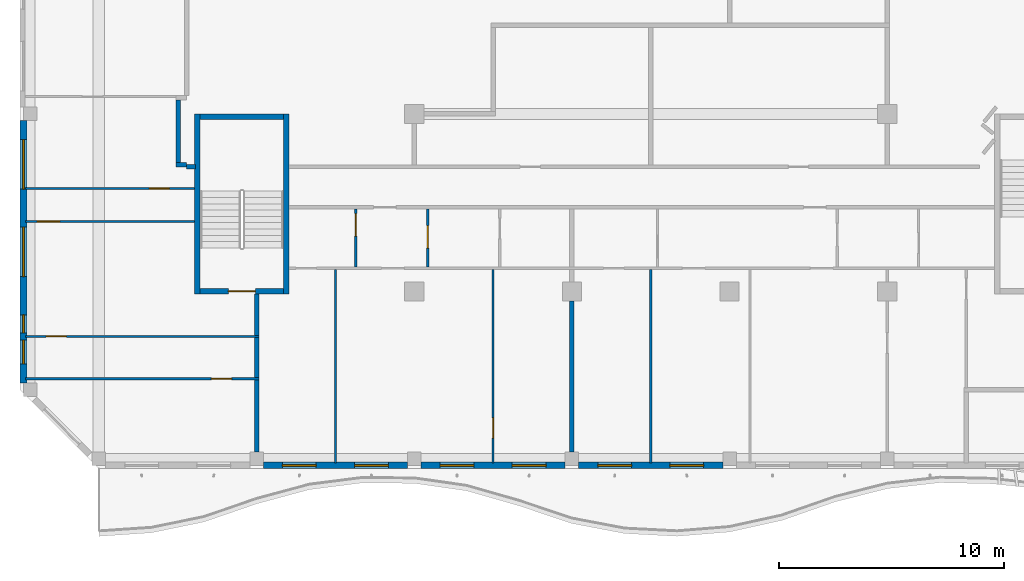
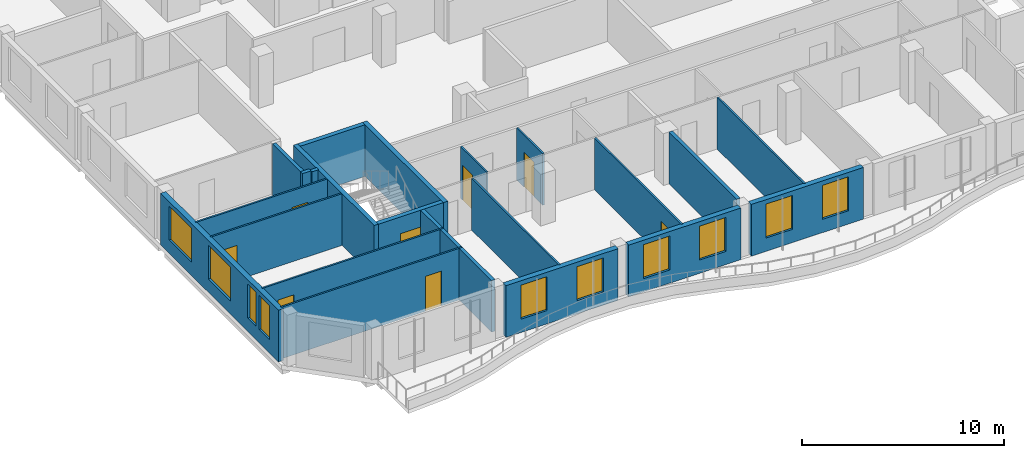
# One storey, part 2 of 17: 24 walls, 10 windows, 8 doors, 18 openings.
"""IFC4 building model written with IfcOpenShell, lengths in metres."""

from ifc_helpers import new_model, si_unit, direction, frame, frame_2d, origin, place, context, subcontext, project, spatial, rectangle, extrude, source, transform, mapped, material, layer, layer_set, type_object, element, fill, save


model = new_model("IFC4")

# Units and contexts
model_context = context("Model", 3, precision=1e-05, world=origin(), true_north=direction((0.0, 1.0)))
body_context = subcontext(model_context, "Body", "Model", "MODEL_VIEW")
ifc_project = project(units=[si_unit("LENGTHUNIT", "METRE"), si_unit("AREAUNIT", "SQUARE_METRE"), si_unit("VOLUMEUNIT", "CUBIC_METRE"), si_unit("PLANEANGLEUNIT", "RADIAN"), si_unit("MASSUNIT", "GRAM", prefix="KILO")], contexts=[model_context])

# Site, building, storey
site_placement = place(None, origin())
site = spatial("IfcSite", under=ifc_project, at=site_placement, CompositionType="ELEMENT")
building_placement = place(site_placement, origin())
building = spatial("IfcBuilding", under=site, at=building_placement, Name="Kilnfold Tower and Market Hall", CompositionType="ELEMENT")
storey_placement = place(building_placement, frame((0.0, 0.0, 301.800048828125)))
storey = spatial("IfcBuildingStorey", under=building, at=storey_placement, Name="L75", CompositionType="ELEMENT", Elevation=301.800048828125)

# Wall, opening, door
ifc_material_1 = material(Name="Gypsum board on steel studs", Category="steel")
ifc_layer_1 = layer(ifc_material_1, 0.10009765625)
ifc_layer_set_1 = layer_set([ifc_layer_1], Name="Gypsum board on steel studs")
wall_type_1 = type_object("IfcWallType", Name="WALL PARTITION 100", PredefinedType="PARTITIONING", material=ifc_layer_set_1)
wall_1_placement = place(storey_placement, frame((-14.89990234375, -19.5, 0.0), z_axis=(0.0, 0.0, 1.0), x_axis=(-1.0, 0.0, 0.0)))
wall_1 = element("IfcWall", 1, at=wall_1_placement, inside=storey, type_object=wall_type_1, Name="Partition LY45.23", PredefinedType="PARTITIONING", context=body_context, shape_type="SweptSolid", body=[
    extrude(rectangle(XDim=10.35009765625, YDim=0.10009765625, at=frame_2d((5.175048828125, 0.0))), origin(), (0.0, 0.0, 1.0), 3.119873046875),
])
opening_1_placement = place(wall_1_placement, frame((1.2060546875, 0.0, 0.0)))
opening_1 = element("IfcOpeningElement", 2, at=opening_1_placement, cuts=wall_1, Name="Opening D2", PredefinedType="OPENING", context=body_context, shape_type="SweptSolid", body=[
    extrude(rectangle(XDim=0.89990234375, YDim=2.10009765625, at=frame_2d((0.449951171875, 1.050048828125))), frame((0.0, 0.06005859375, 0.0), z_axis=(0.0, -1.0, 0.0), x_axis=(1.0, 0.0, 0.0)), (0.0, 0.0, 1.0), 0.1201171875),
])
ifc_material_2 = material(Name="Timber veneer door leaf in steel frame", Category="steel")
door_type_1 = type_object("IfcDoorType", Name="DOOR ROOM 900 X2100", OperationType="NOTDEFINED", PredefinedType="DOOR", material=ifc_material_2)
door_1_placement = place(opening_1_placement, origin())
door_1 = element("IfcDoor", 3, at=door_1_placement, inside=storey, type_object=door_type_1, Name="Door D2", OperationType="SINGLE_SWING_RIGHT", OverallHeight=2.10009765625, OverallWidth=0.89990234375, PredefinedType="DOOR", context=body_context, shape_type="SweptSolid", body=[
    extrude(rectangle(XDim=0.89990234375, YDim=2.10009765625, at=frame_2d((0.449951171875, 1.050048828125))), frame((0.0, 0.02490234375, 0.0), z_axis=(0.0, -1.0, 0.0), x_axis=(1.0, 0.0, 0.0)), (0.0, 0.0, 1.0), 0.050048828125),
])
fill(opening_1, door_1)

wall_2_placement = place(storey_placement, frame((-14.89990234375, -17.625, 0.0), z_axis=(0.0, 0.0, 1.0), x_axis=(-1.0, 0.0, 0.0)))
wall_2 = element("IfcWall", 4, at=wall_2_placement, inside=storey, type_object=wall_type_1, Name="Partition LY45.25", PredefinedType="PARTITIONING", context=body_context, shape_type="SweptSolid", body=[
    extrude(rectangle(XDim=10.35009765625, YDim=0.10009765625, at=frame_2d((5.175048828125, 0.0))), origin(), (0.0, 0.0, 1.0), 3.119873046875),
])
opening_2_placement = place(wall_2_placement, frame((8.5458984375, 0.0, 0.0)))
opening_2 = element("IfcOpeningElement", 5, at=opening_2_placement, cuts=wall_2, Name="Opening D2", PredefinedType="OPENING", context=body_context, shape_type="SweptSolid", body=[
    extrude(rectangle(XDim=0.89990234375, YDim=2.10009765625, at=frame_2d((0.449951171875, 1.050048828125))), frame((0.0, 0.06005859375, 0.0), z_axis=(0.0, -1.0, 0.0), x_axis=(1.0, 0.0, 0.0)), (0.0, 0.0, 1.0), 0.1201171875),
])
door_2_placement = place(opening_2_placement, origin())
door_2 = element("IfcDoor", 6, at=door_2_placement, inside=storey, type_object=door_type_1, Name="Door D2", OperationType="SINGLE_SWING_LEFT", OverallHeight=2.10009765625, OverallWidth=0.89990234375, PredefinedType="DOOR", context=body_context, shape_type="SweptSolid", body=[
    extrude(rectangle(XDim=0.89990234375, YDim=2.10009765625, at=frame_2d((0.449951171875, 1.050048828125))), frame((0.0, 0.02490234375, 0.0), z_axis=(0.0, -1.0, 0.0), x_axis=(1.0, 0.0, 0.0)), (0.0, 0.0, 1.0), 0.050048828125),
])
fill(opening_2, door_2)

wall_3_placement = place(storey_placement, frame((-17.75, -12.52490234375, 0.0), z_axis=(0.0, 0.0, 1.0), x_axis=(-1.0, 0.0, 0.0)))
wall_3 = element("IfcWall", 7, at=wall_3_placement, inside=storey, type_object=wall_type_1, Name="Partition LY45.27", PredefinedType="PARTITIONING", context=body_context, shape_type="SweptSolid", body=[
    extrude(rectangle(XDim=7.5, YDim=0.10009765625, at=frame_2d((3.75, 0.0))), origin(), (0.0, 0.0, 1.0), 3.119873046875),
])
opening_3_placement = place(wall_3_placement, frame((5.9951171875, 0.0, 0.0)))
opening_3 = element("IfcOpeningElement", 8, at=opening_3_placement, cuts=wall_3, Name="Opening D1", PredefinedType="OPENING", context=body_context, shape_type="SweptSolid", body=[
    extrude(rectangle(XDim=1.0, YDim=2.10009765625, at=frame_2d((0.5, 1.050048828125))), frame((0.0, 0.06005859375, 0.0), z_axis=(0.0, -1.0, 0.0), x_axis=(1.0, 0.0, 0.0)), (0.0, 0.0, 1.0), 0.1201171875),
])
ifc_material_3 = material(Name="Timber veneer door leaf in steel frame", Category="steel")
door_type_2 = type_object("IfcDoorType", Name="DOOR ENTRY 1000 X2100", OperationType="NOTDEFINED", PredefinedType="DOOR", material=ifc_material_3)
door_3_placement = place(opening_3_placement, origin())
door_3 = element("IfcDoor", 9, at=door_3_placement, inside=storey, type_object=door_type_2, Name="Door D1", OperationType="SINGLE_SWING_LEFT", OverallHeight=2.10009765625, OverallWidth=1.0, PredefinedType="DOOR", context=body_context, shape_type="SweptSolid", body=[
    extrude(rectangle(XDim=1.0, YDim=2.10009765625, at=frame_2d((0.5, 1.050048828125))), frame((0.0, 0.02490234375, 0.0), z_axis=(0.0, -1.0, 0.0), x_axis=(1.0, 0.0, 0.0)), (0.0, 0.0, 1.0), 0.050048828125),
])
fill(opening_3, door_3)

wall_4_placement = place(storey_placement, frame((-17.75, -11.06201171875, 0.0), z_axis=(0.0, 0.0, 1.0), x_axis=(-1.0, 0.0, 0.0)))
wall_4 = element("IfcWall", 10, at=wall_4_placement, inside=storey, type_object=wall_type_1, Name="Partition LY45.29", PredefinedType="PARTITIONING", context=body_context, shape_type="SweptSolid", body=[
    extrude(rectangle(XDim=7.5, YDim=0.10009765625, at=frame_2d((3.75, 0.0))), origin(), (0.0, 0.0, 1.0), 3.119873046875),
])
opening_4_placement = place(wall_4_placement, frame((1.114990234375, 0.0, 0.0)))
opening_4 = element("IfcOpeningElement", 11, at=opening_4_placement, cuts=wall_4, Name="Opening D2", PredefinedType="OPENING", context=body_context, shape_type="SweptSolid", body=[
    extrude(rectangle(XDim=0.89990234375, YDim=2.10009765625, at=frame_2d((0.449951171875, 1.050048828125))), frame((0.0, 0.06005859375, 0.0), z_axis=(0.0, -1.0, 0.0), x_axis=(1.0, 0.0, 0.0)), (0.0, 0.0, 1.0), 0.1201171875),
])
door_4_placement = place(opening_4_placement, origin())
door_4 = element("IfcDoor", 12, at=door_4_placement, inside=storey, type_object=door_type_1, Name="Door D2", OperationType="SINGLE_SWING_LEFT", OverallHeight=2.10009765625, OverallWidth=0.89990234375, PredefinedType="DOOR", context=body_context, shape_type="SweptSolid", body=[
    extrude(rectangle(XDim=0.89990234375, YDim=2.10009765625, at=frame_2d((0.449951171875, 1.050048828125))), frame((0.0, 0.02490234375, 0.0), z_axis=(0.0, -1.0, 0.0), x_axis=(1.0, 0.0, 0.0)), (0.0, 0.0, 1.0), 0.050048828125),
])
fill(opening_4, door_4)

wall_5_placement = place(storey_placement, frame((-10.60009765625, -14.550048828125, 0.0), z_axis=(0.0, 0.0, 1.0), x_axis=(0.0, 1.0, 0.0)))
wall_5 = element("IfcWall", 13, at=wall_5_placement, inside=storey, type_object=wall_type_1, Name="Partition LY45.40", PredefinedType="PARTITIONING", context=body_context, shape_type="SweptSolid", body=[
    extrude(rectangle(XDim=2.572998046875, YDim=0.10009765625, at=frame_2d((1.28662109375, 0.0))), origin(), (0.0, 0.0, 1.0), 3.119873046875),
])
opening_5_placement = place(wall_5_placement, frame((1.373046875, 0.0, 0.0)))
opening_5 = element("IfcOpeningElement", 14, at=opening_5_placement, cuts=wall_5, Name="Opening D1", PredefinedType="OPENING", context=body_context, shape_type="SweptSolid", body=[
    extrude(rectangle(XDim=1.0, YDim=2.10009765625, at=frame_2d((0.5, 1.050048828125))), frame((0.0, 0.06005859375, 0.0), z_axis=(0.0, -1.0, 0.0), x_axis=(1.0, 0.0, 0.0)), (0.0, 0.0, 1.0), 0.1201171875),
])
door_5_placement = place(opening_5_placement, origin())
door_5 = element("IfcDoor", 15, at=door_5_placement, inside=storey, type_object=door_type_2, Name="Door D1", OperationType="SINGLE_SWING_LEFT", OverallHeight=2.10009765625, OverallWidth=1.0, PredefinedType="DOOR", context=body_context, shape_type="SweptSolid", body=[
    extrude(rectangle(XDim=1.0, YDim=2.10009765625, at=frame_2d((0.5, 1.050048828125))), frame((0.0, 0.02490234375, 0.0), z_axis=(0.0, -1.0, 0.0), x_axis=(1.0, 0.0, 0.0)), (0.0, 0.0, 1.0), 0.050048828125),
])
fill(opening_5, door_5)

wall_6_placement = place(storey_placement, frame((-7.39990234375, -14.550048828125, 0.0), z_axis=(0.0, 0.0, 1.0), x_axis=(0.0, 1.0, 0.0)))
wall_6 = element("IfcWall", 16, at=wall_6_placement, inside=storey, type_object=wall_type_1, Name="Partition LY45.42", PredefinedType="PARTITIONING", context=body_context, shape_type="SweptSolid", body=[
    extrude(rectangle(XDim=2.572998046875, YDim=0.10009765625, at=frame_2d((1.28662109375, 0.0))), origin(), (0.0, 0.0, 1.0), 3.119873046875),
])
opening_6_placement = place(wall_6_placement, frame((0.840087890625, 0.0, 0.0)))
opening_6 = element("IfcOpeningElement", 17, at=opening_6_placement, cuts=wall_6, Name="Opening D1", PredefinedType="OPENING", context=body_context, shape_type="SweptSolid", body=[
    extrude(rectangle(XDim=1.0, YDim=2.10009765625, at=frame_2d((0.5, 1.050048828125))), frame((0.0, 0.06005859375, 0.0), z_axis=(0.0, -1.0, 0.0), x_axis=(1.0, 0.0, 0.0)), (0.0, 0.0, 1.0), 0.1201171875),
])
door_6_placement = place(opening_6_placement, origin())
door_6 = element("IfcDoor", 18, at=door_6_placement, inside=storey, type_object=door_type_2, Name="Door D1", OperationType="SINGLE_SWING_LEFT", OverallHeight=2.10009765625, OverallWidth=1.0, PredefinedType="DOOR", context=body_context, shape_type="SweptSolid", body=[
    extrude(rectangle(XDim=1.0, YDim=2.10009765625, at=frame_2d((0.5, 1.050048828125))), frame((0.0, 0.02490234375, 0.0), z_axis=(0.0, -1.0, 0.0), x_axis=(1.0, 0.0, 0.0)), (0.0, 0.0, 1.0), 0.050048828125),
])
fill(opening_6, door_6)

# Wall
wall_7_placement = place(storey_placement, frame((-11.5, -23.25, 0.0), z_axis=(0.0, 0.0, 1.0), x_axis=(0.0, 1.0, 0.0)))
element("IfcWall", 19, at=wall_7_placement, inside=storey, type_object=wall_type_1, Name="Partition LY45.45", PredefinedType="PARTITIONING", context=body_context, shape_type="SweptSolid", body=[
    extrude(rectangle(XDim=8.597900390625, YDim=0.10009765625, at=frame_2d((4.298828125, 0.0))), origin(), (0.0, 0.0, 1.0), 3.119873046875),
])

# Wall, opening, door
wall_8_placement = place(storey_placement, frame((-4.5, -23.25, 0.0), z_axis=(0.0, 0.0, 1.0), x_axis=(0.0, 1.0, 0.0)))
wall_8 = element("IfcWall", 20, at=wall_8_placement, inside=storey, type_object=wall_type_1, Name="Partition LY45.46", PredefinedType="PARTITIONING", context=body_context, shape_type="SweptSolid", body=[
    extrude(rectangle(XDim=8.597900390625, YDim=0.10009765625, at=frame_2d((4.298828125, 0.0))), origin(), (0.0, 0.0, 1.0), 3.119873046875),
])
opening_7_placement = place(wall_8_placement, frame((1.112060546875, 0.0, 0.0)))
opening_7 = element("IfcOpeningElement", 21, at=opening_7_placement, cuts=wall_8, Name="Opening D2", PredefinedType="OPENING", context=body_context, shape_type="SweptSolid", body=[
    extrude(rectangle(XDim=0.89990234375, YDim=2.10009765625, at=frame_2d((0.449951171875, 1.050048828125))), frame((0.0, 0.06005859375, 0.0), z_axis=(0.0, -1.0, 0.0), x_axis=(1.0, 0.0, 0.0)), (0.0, 0.0, 1.0), 0.1201171875),
])
door_7_placement = place(opening_7_placement, origin())
door_7 = element("IfcDoor", 22, at=door_7_placement, inside=storey, type_object=door_type_1, Name="Door D2", OperationType="SINGLE_SWING_RIGHT", OverallHeight=2.10009765625, OverallWidth=0.89990234375, PredefinedType="DOOR", context=body_context, shape_type="SweptSolid", body=[
    extrude(rectangle(XDim=0.89990234375, YDim=2.10009765625, at=frame_2d((0.449951171875, 1.050048828125))), frame((0.0, 0.02490234375, 0.0), z_axis=(0.0, -1.0, 0.0), x_axis=(1.0, 0.0, 0.0)), (0.0, 0.0, 1.0), 0.050048828125),
])
fill(opening_7, door_7)

# Walls
wall_9_placement = place(storey_placement, frame((2.5, -23.25, 0.0), z_axis=(0.0, 0.0, 1.0), x_axis=(0.0, 1.0, 0.0)))
element("IfcWall", 23, at=wall_9_placement, inside=storey, type_object=wall_type_1, Name="Partition LY45.52", PredefinedType="PARTITIONING", context=body_context, shape_type="SweptSolid", body=[
    extrude(rectangle(XDim=8.597900390625, YDim=0.10009765625, at=frame_2d((4.298828125, 0.0))), origin(), (0.0, 0.0, 1.0), 3.119873046875),
])
ifc_material_4 = material(Name="Gypsum board on steel studs", Category="steel")
ifc_layer_2 = layer(ifc_material_4, 0.199951171875)
ifc_layer_set_2 = layer_set([ifc_layer_2], Name="Gypsum board on steel studs")
wall_type_2 = type_object("IfcWallType", Name="WALL PARTY 200", PredefinedType="PARTITIONING", material=ifc_layer_set_2)
wall_10_placement = place(storey_placement, frame((-15.0, -22.75, 0.0), z_axis=(0.0, 0.0, 1.0), x_axis=(0.0, 1.0, 0.0)))
element("IfcWall", 24, at=wall_10_placement, inside=storey, type_object=wall_type_2, Name="Partition LY45.24", PredefinedType="PARTITIONING", context=body_context, shape_type="SweptSolid", body=[
    extrude(rectangle(XDim=3.199951171875, YDim=0.199951171875, at=frame_2d((1.60009765625, 0.0))), origin(), (0.0, 0.0, 1.0), 3.119873046875),
])
wall_11_placement = place(storey_placement, frame((-15.0, -19.449951171875, 0.0), z_axis=(0.0, 0.0, 1.0), x_axis=(0.0, 1.0, 0.0)))
element("IfcWall", 25, at=wall_11_placement, inside=storey, type_object=wall_type_2, Name="Partition LY45.26", PredefinedType="PARTITIONING", context=body_context, shape_type="SweptSolid", body=[
    extrude(rectangle(XDim=1.77490234375, YDim=0.199951171875, at=frame_2d((0.887451171875, 0.0))), origin(), (0.0, 0.0, 1.0), 3.119873046875),
])
wall_12_placement = place(storey_placement, frame((-15.0, -17.574951171875, 0.0), z_axis=(0.0, 0.0, 1.0), x_axis=(0.0, 1.0, 0.0)))
element("IfcWall", 26, at=wall_12_placement, inside=storey, type_object=wall_type_2, Name="Partition LY45.28", PredefinedType="PARTITIONING", context=body_context, shape_type="SweptSolid", body=[
    extrude(rectangle(XDim=1.824951171875, YDim=0.199951171875, at=frame_2d((0.91259765625, 0.0))), origin(), (0.0, 0.0, 1.0), 3.119873046875),
])
wall_13_placement = place(storey_placement, frame((-17.699951171875, -10.10009765625, 0.0), z_axis=(0.0, 0.0, 1.0), x_axis=(-1.0, 0.0, 0.0)))
element("IfcWall", 27, at=wall_13_placement, inside=storey, type_object=wall_type_2, Name="Partition LY45.31", PredefinedType="PARTITIONING", context=body_context, shape_type="SweptSolid", body=[
    extrude(rectangle(XDim=0.400146484375, YDim=0.199951171875, at=frame_2d((0.2001953125, 0.0))), origin(), (0.0, 0.0, 1.0), 3.119873046875),
])
wall_14_placement = place(storey_placement, frame((-18.48193359375, -9.902099609375, 0.0), z_axis=(0.0, 0.0, 1.0), x_axis=(0.0, 1.0, 0.0)))
element("IfcWall", 28, at=wall_14_placement, inside=storey, type_object=wall_type_2, Name="Partition LY45.33", PredefinedType="PARTITIONING", context=body_context, shape_type="SweptSolid", body=[
    extrude(rectangle(XDim=2.773193359375, YDim=0.199951171875, at=frame_2d((1.38671875, 0.0))), origin(), (0.0, 0.0, 1.0), 3.119873046875),
])
wall_15_placement = place(storey_placement, frame((-18.10009765625, -10.001953125, 0.0), z_axis=(0.0, 0.0, 1.0), x_axis=(-1.0, 0.0, 0.0)))
element("IfcWall", 29, at=wall_15_placement, inside=storey, type_object=wall_type_2, Name="Partition LY45.34", PredefinedType="PARTITIONING", context=body_context, shape_type="SweptSolid", body=[
    extrude(rectangle(XDim=0.48193359375, YDim=0.199951171875, at=frame_2d((0.240966796875, 0.0))), origin(), (0.0, 0.0, 1.0), 3.119873046875),
])
wall_16_placement = place(storey_placement, frame((-1.0, -22.75, 0.0), z_axis=(0.0, 0.0, 1.0), x_axis=(0.0, 1.0, 0.0)))
element("IfcWall", 30, at=wall_16_placement, inside=storey, type_object=wall_type_2, Name="Partition LY45.48", PredefinedType="PARTITIONING", context=body_context, shape_type="SweptSolid", body=[
    extrude(rectangle(XDim=6.699951171875, YDim=0.199951171875, at=frame_2d((3.35009765625, 0.0))), origin(), (0.0, 0.0, 1.0), 3.119873046875),
])

# Wall, opening, door
ifc_material_5 = material(Name="Concrete C50", Category="concrete")
ifc_layer_3 = layer(ifc_material_5, 0.25)
ifc_layer_set_3 = layer_set([ifc_layer_3], Name="Concrete C50")
wall_type_3 = type_object("IfcWallType", Name="CORE WALL 250 C50", PredefinedType="SHEAR", material=ifc_layer_set_3)
shared_shape_1 = source(origin(), body_context, "Body", "SweptSolid", [
    extrude(rectangle(XDim=3.699951171875, YDim=0.25, at=frame_2d((1.85009765625, 0.0))), origin(), (0.0, 0.0, 1.0), 3.119873046875),
])
wall_17_placement = place(storey_placement, frame((-17.5, -15.625, 0.0), z_axis=(0.0, 0.0, 1.0), x_axis=(1.0, 0.0, 0.0)))
wall_17 = element("IfcWall", 31, at=wall_17_placement, inside=storey, type_object=wall_type_3, Name="Stair enclosure ST3", PredefinedType="SHEAR", context=body_context, shape_type="MappedRepresentation", body=[
    mapped(shared_shape_1, transform((0.0, 0.0, 0.0))),
])
opening_8_placement = place(wall_17_placement, frame((1.25, 0.0, 0.0)))
opening_8 = element("IfcOpeningElement", 32, at=opening_8_placement, cuts=wall_17, Name="Opening SD1", PredefinedType="OPENING", context=body_context, shape_type="SweptSolid", body=[
    extrude(rectangle(XDim=1.199951171875, YDim=2.10009765625, at=frame_2d((0.60009765625, 1.050048828125))), frame((0.0, 0.135009765625, 0.0), z_axis=(0.0, -1.0, 0.0), x_axis=(1.0, 0.0, 0.0)), (0.0, 0.0, 1.0), 0.27001953125),
])
ifc_material_6 = material(Name="Steel door set with fire-resisting leaf", Category="steel")
door_type_3 = type_object("IfcDoorType", Name="STAIR FLOOR DOOR 1200X2100", OperationType="NOTDEFINED", PredefinedType="DOOR", material=ifc_material_6)
door_8_placement = place(opening_8_placement, origin())
door_8 = element("IfcDoor", 33, at=door_8_placement, inside=storey, type_object=door_type_3, Name="Exit stair ST3 door", OperationType="DOUBLE_DOOR_SINGLE_SWING", OverallHeight=2.10009765625, OverallWidth=1.199951171875, PredefinedType="DOOR", context=body_context, shape_type="SweptSolid", body=[
    extrude(rectangle(XDim=1.199951171875, YDim=2.10009765625, at=frame_2d((0.60009765625, 1.050048828125))), frame((0.0, 0.02490234375, 0.0), z_axis=(0.0, -1.0, 0.0), x_axis=(1.0, 0.0, 0.0)), (0.0, 0.0, 1.0), 0.050048828125),
])
fill(opening_8, door_8)

# Walls
wall_18_placement = place(storey_placement, frame((-17.5, -7.875, 0.0), z_axis=(0.0, 0.0, 1.0), x_axis=(1.0, 0.0, 0.0)))
element("IfcWall", 34, at=wall_18_placement, inside=storey, type_object=wall_type_3, Name="Stair enclosure ST3", PredefinedType="SHEAR", context=body_context, shape_type="MappedRepresentation", body=[
    mapped(shared_shape_1, transform((0.0, 0.0, 0.0))),
])
shared_shape_2 = source(origin(), body_context, "Body", "SweptSolid", [
    extrude(rectangle(XDim=8.0, YDim=0.25, at=frame_2d((4.0, 0.0))), origin(), (0.0, 0.0, 1.0), 3.119873046875),
])
for number, where, z_axis, x_axis, name in (
    (35, (-17.625, -15.75, 0.0), (0.0, 0.0, 1.0), (0.0, 1.0, 0.0), "Stair enclosure ST3"),
    (36, (-13.675048828125, -15.75, 0.0), (0.0, 0.0, 1.0), (0.0, 1.0, 0.0), "Stair enclosure ST3"),
):
    element("IfcWall", number, at=place(storey_placement, frame(where, z_axis=z_axis, x_axis=x_axis)), inside=storey, type_object=wall_type_3, Name=name, PredefinedType="SHEAR", context=body_context, shape_type="MappedRepresentation", body=[
        mapped(shared_shape_2, transform((0.0, 0.0, 0.0))),
    ])

# Wall, openings, windows
ifc_material_7 = material(Name="Precast concrete C50/60", Category="concrete")
ifc_layer_4 = layer(ifc_material_7, 0.300048828125)
ifc_layer_set_4 = layer_set([ifc_layer_4], Name="Precast concrete C50/60")
wall_type_4 = type_object("IfcWallType", Name="PRECAST WALL 300", PredefinedType="SOLIDWALL", material=ifc_layer_set_4)
shared_shape_3 = source(origin(), body_context, "Body", "SweptSolid", [
    extrude(rectangle(XDim=6.39990234375, YDim=0.300048828125, at=frame_2d((3.199951171875, 0.0))), origin(), (0.0, 0.0, 1.0), 3.119873046875),
])
wall_19_placement = place(storey_placement, frame((-14.699951171875, -23.35009765625, 0.0), z_axis=(0.0, 0.0, 1.0), x_axis=(1.0, 0.0, 0.0)))
wall_19 = element("IfcWall", 37, at=wall_19_placement, inside=storey, type_object=wall_type_4, Name="External wall L75 S", PredefinedType="SOLIDWALL", context=body_context, shape_type="MappedRepresentation", body=[
    mapped(shared_shape_3, transform((0.0, 0.0, 0.0))),
])
opening_9_placement = place(wall_19_placement, frame((0.85009765625, 0.0, 0.800048828125)))
opening_9 = element("IfcOpeningElement", 38, at=opening_9_placement, cuts=wall_19, Name="Opening W5", PredefinedType="OPENING", context=body_context, shape_type="SweptSolid", body=[
    extrude(rectangle(XDim=1.5, YDim=2.050048828125, at=frame_2d((0.75, 1.02490234375))), frame((0.0, 0.16015625, 0.0), z_axis=(0.0, -1.0, 0.0), x_axis=(1.0, 0.0, 0.0)), (0.0, 0.0, 1.0), 0.320068359375),
])
opening_10_placement = place(wall_19_placement, frame((4.050048828125, 0.0, 0.800048828125)))
opening_10 = element("IfcOpeningElement", 39, at=opening_10_placement, cuts=wall_19, Name="Opening W5", PredefinedType="OPENING", context=body_context, shape_type="SweptSolid", body=[
    extrude(rectangle(XDim=1.5, YDim=2.050048828125, at=frame_2d((0.75, 1.02490234375))), frame((0.0, 0.16015625, 0.0), z_axis=(0.0, -1.0, 0.0), x_axis=(1.0, 0.0, 0.0)), (0.0, 0.0, 1.0), 0.320068359375),
])
ifc_material_8 = material(Name="Aluminium frame and double glazing", Category="aluminium")
window_type_1 = type_object("IfcWindowType", Name="WINDOW W5 1500X2050", PartitioningType="SINGLE_PANEL", PredefinedType="WINDOW", material=ifc_material_8)
window_1_placement = place(opening_9_placement, origin())
window_1 = element("IfcWindow", 40, at=window_1_placement, inside=storey, type_object=window_type_1, Name="Window W5 L75 S-1", OverallHeight=2.050048828125, OverallWidth=1.5, PartitioningType="SINGLE_PANEL", PredefinedType="WINDOW", context=body_context, shape_type="SweptSolid", body=[
    extrude(rectangle(XDim=1.5, YDim=2.050048828125, at=frame_2d((0.75, 1.02490234375))), frame((0.0, 0.030029296875, 0.0), z_axis=(0.0, -1.0, 0.0), x_axis=(1.0, 0.0, 0.0)), (0.0, 0.0, 1.0), 0.06005859375),
])
fill(opening_9, window_1)
window_2_placement = place(opening_10_placement, origin())
window_2 = element("IfcWindow", 41, at=window_2_placement, inside=storey, type_object=window_type_1, Name="Window W5 L75 S-2", OverallHeight=2.050048828125, OverallWidth=1.5, PartitioningType="SINGLE_PANEL", PredefinedType="WINDOW", context=body_context, shape_type="SweptSolid", body=[
    extrude(rectangle(XDim=1.5, YDim=2.050048828125, at=frame_2d((0.75, 1.02490234375))), frame((0.0, 0.030029296875, 0.0), z_axis=(0.0, -1.0, 0.0), x_axis=(1.0, 0.0, 0.0)), (0.0, 0.0, 1.0), 0.06005859375),
])
fill(opening_10, window_2)

wall_20_placement = place(storey_placement, frame((-7.699951171875, -23.35009765625, 0.0), z_axis=(0.0, 0.0, 1.0), x_axis=(1.0, 0.0, 0.0)))
wall_20 = element("IfcWall", 42, at=wall_20_placement, inside=storey, type_object=wall_type_4, Name="External wall L75 S", PredefinedType="SOLIDWALL", context=body_context, shape_type="MappedRepresentation", body=[
    mapped(shared_shape_3, transform((0.0, 0.0, 0.0))),
])
opening_11_placement = place(wall_20_placement, frame((0.85009765625, 0.0, 0.800048828125)))
opening_11 = element("IfcOpeningElement", 43, at=opening_11_placement, cuts=wall_20, Name="Opening W5", PredefinedType="OPENING", context=body_context, shape_type="SweptSolid", body=[
    extrude(rectangle(XDim=1.5, YDim=2.050048828125, at=frame_2d((0.75, 1.02490234375))), frame((0.0, 0.16015625, 0.0), z_axis=(0.0, -1.0, 0.0), x_axis=(1.0, 0.0, 0.0)), (0.0, 0.0, 1.0), 0.320068359375),
])
opening_12_placement = place(wall_20_placement, frame((4.050048828125, 0.0, 0.800048828125)))
opening_12 = element("IfcOpeningElement", 44, at=opening_12_placement, cuts=wall_20, Name="Opening W5", PredefinedType="OPENING", context=body_context, shape_type="SweptSolid", body=[
    extrude(rectangle(XDim=1.5, YDim=2.050048828125, at=frame_2d((0.75, 1.02490234375))), frame((0.0, 0.16015625, 0.0), z_axis=(0.0, -1.0, 0.0), x_axis=(1.0, 0.0, 0.0)), (0.0, 0.0, 1.0), 0.320068359375),
])
window_3_placement = place(opening_11_placement, origin())
window_3 = element("IfcWindow", 45, at=window_3_placement, inside=storey, type_object=window_type_1, Name="Window W5 L75 S-1", OverallHeight=2.050048828125, OverallWidth=1.5, PartitioningType="SINGLE_PANEL", PredefinedType="WINDOW", context=body_context, shape_type="SweptSolid", body=[
    extrude(rectangle(XDim=1.5, YDim=2.050048828125, at=frame_2d((0.75, 1.02490234375))), frame((0.0, 0.030029296875, 0.0), z_axis=(0.0, -1.0, 0.0), x_axis=(1.0, 0.0, 0.0)), (0.0, 0.0, 1.0), 0.06005859375),
])
fill(opening_11, window_3)
window_4_placement = place(opening_12_placement, origin())
window_4 = element("IfcWindow", 46, at=window_4_placement, inside=storey, type_object=window_type_1, Name="Window W5 L75 S-2", OverallHeight=2.050048828125, OverallWidth=1.5, PartitioningType="SINGLE_PANEL", PredefinedType="WINDOW", context=body_context, shape_type="SweptSolid", body=[
    extrude(rectangle(XDim=1.5, YDim=2.050048828125, at=frame_2d((0.75, 1.02490234375))), frame((0.0, 0.030029296875, 0.0), z_axis=(0.0, -1.0, 0.0), x_axis=(1.0, 0.0, 0.0)), (0.0, 0.0, 1.0), 0.06005859375),
])
fill(opening_12, window_4)

wall_21_placement = place(storey_placement, frame((-0.699951171875, -23.35009765625, 0.0), z_axis=(0.0, 0.0, 1.0), x_axis=(1.0, 0.0, 0.0)))
wall_21 = element("IfcWall", 47, at=wall_21_placement, inside=storey, type_object=wall_type_4, Name="External wall L75 S", PredefinedType="SOLIDWALL", context=body_context, shape_type="MappedRepresentation", body=[
    mapped(shared_shape_3, transform((0.0, 0.0, 0.0))),
])
opening_13_placement = place(wall_21_placement, frame((0.85009765625, 0.0, 0.800048828125)))
opening_13 = element("IfcOpeningElement", 48, at=opening_13_placement, cuts=wall_21, Name="Opening W5", PredefinedType="OPENING", context=body_context, shape_type="SweptSolid", body=[
    extrude(rectangle(XDim=1.5, YDim=2.050048828125, at=frame_2d((0.75, 1.02490234375))), frame((0.0, 0.16015625, 0.0), z_axis=(0.0, -1.0, 0.0), x_axis=(1.0, 0.0, 0.0)), (0.0, 0.0, 1.0), 0.320068359375),
])
opening_14_placement = place(wall_21_placement, frame((4.050048828125, 0.0, 0.800048828125)))
opening_14 = element("IfcOpeningElement", 49, at=opening_14_placement, cuts=wall_21, Name="Opening W5", PredefinedType="OPENING", context=body_context, shape_type="SweptSolid", body=[
    extrude(rectangle(XDim=1.5, YDim=2.050048828125, at=frame_2d((0.75, 1.02490234375))), frame((0.0, 0.16015625, 0.0), z_axis=(0.0, -1.0, 0.0), x_axis=(1.0, 0.0, 0.0)), (0.0, 0.0, 1.0), 0.320068359375),
])
window_5_placement = place(opening_13_placement, origin())
window_5 = element("IfcWindow", 50, at=window_5_placement, inside=storey, type_object=window_type_1, Name="Window W5 L75 S-1", OverallHeight=2.050048828125, OverallWidth=1.5, PartitioningType="SINGLE_PANEL", PredefinedType="WINDOW", context=body_context, shape_type="SweptSolid", body=[
    extrude(rectangle(XDim=1.5, YDim=2.050048828125, at=frame_2d((0.75, 1.02490234375))), frame((0.0, 0.030029296875, 0.0), z_axis=(0.0, -1.0, 0.0), x_axis=(1.0, 0.0, 0.0)), (0.0, 0.0, 1.0), 0.06005859375),
])
fill(opening_13, window_5)
window_6_placement = place(opening_14_placement, origin())
window_6 = element("IfcWindow", 51, at=window_6_placement, inside=storey, type_object=window_type_1, Name="Window W5 L75 S-2", OverallHeight=2.050048828125, OverallWidth=1.5, PartitioningType="SINGLE_PANEL", PredefinedType="WINDOW", context=body_context, shape_type="SweptSolid", body=[
    extrude(rectangle(XDim=1.5, YDim=2.050048828125, at=frame_2d((0.75, 1.02490234375))), frame((0.0, 0.030029296875, 0.0), z_axis=(0.0, -1.0, 0.0), x_axis=(1.0, 0.0, 0.0)), (0.0, 0.0, 1.0), 0.06005859375),
])
fill(opening_14, window_6)

shared_shape_4 = source(origin(), body_context, "Body", "SweptSolid", [
    extrude(rectangle(XDim=11.64990234375, YDim=0.300048828125, at=frame_2d((5.824951171875, 0.0))), origin(), (0.0, 0.0, 1.0), 3.119873046875),
])
wall_22_placement = place(storey_placement, frame((-25.35009765625, -8.050048828125, 0.0), z_axis=(0.0, 0.0, 1.0), x_axis=(0.0, -1.0, 0.0)))
wall_22 = element("IfcWall", 52, at=wall_22_placement, inside=storey, type_object=wall_type_4, Name="External wall L75 W", PredefinedType="SOLIDWALL", context=body_context, shape_type="MappedRepresentation", body=[
    mapped(shared_shape_4, transform((0.0, 0.0, 0.0))),
])
opening_15_placement = place(wall_22_placement, frame((0.841552734375, 0.0, 0.800048828125)))
opening_15 = element("IfcOpeningElement", 53, at=opening_15_placement, cuts=wall_22, Name="Opening W3", PredefinedType="OPENING", context=body_context, shape_type="SweptSolid", body=[
    extrude(rectangle(XDim=2.199951171875, YDim=2.050048828125, at=frame_2d((1.10009765625, 1.02490234375))), frame((0.0, 0.16015625, 0.0), z_axis=(0.0, -1.0, 0.0), x_axis=(1.0, 0.0, 0.0)), (0.0, 0.0, 1.0), 0.320068359375),
])
opening_16_placement = place(wall_22_placement, frame((4.72509765625, 0.0, 0.800048828125)))
opening_16 = element("IfcOpeningElement", 54, at=opening_16_placement, cuts=wall_22, Name="Opening W3", PredefinedType="OPENING", context=body_context, shape_type="SweptSolid", body=[
    extrude(rectangle(XDim=2.199951171875, YDim=2.050048828125, at=frame_2d((1.10009765625, 1.02490234375))), frame((0.0, 0.16015625, 0.0), z_axis=(0.0, -1.0, 0.0), x_axis=(1.0, 0.0, 0.0)), (0.0, 0.0, 1.0), 0.320068359375),
])
opening_17_placement = place(wall_22_placement, frame((8.61669921875, 0.0, 0.800048828125)))
opening_17 = element("IfcOpeningElement", 55, at=opening_17_placement, cuts=wall_22, Name="Opening W3-J", PredefinedType="OPENING", context=body_context, shape_type="SweptSolid", body=[
    extrude(rectangle(XDim=0.800048828125, YDim=2.050048828125, at=frame_2d((0.39990234375, 1.02490234375))), frame((0.0, 0.16015625, 0.0), z_axis=(0.0, -1.0, 0.0), x_axis=(1.0, 0.0, 0.0)), (0.0, 0.0, 1.0), 0.320068359375),
])
opening_18_placement = place(wall_22_placement, frame((9.74169921875, 0.0, 0.800048828125)))
opening_18 = element("IfcOpeningElement", 56, at=opening_18_placement, cuts=wall_22, Name="Opening W3-K", PredefinedType="OPENING", context=body_context, shape_type="SweptSolid", body=[
    extrude(rectangle(XDim=1.050048828125, YDim=2.050048828125, at=frame_2d((0.52490234375, 1.02490234375))), frame((0.0, 0.16015625, 0.0), z_axis=(0.0, -1.0, 0.0), x_axis=(1.0, 0.0, 0.0)), (0.0, 0.0, 1.0), 0.320068359375),
])
ifc_material_9 = material(Name="Aluminium frame and double glazing", Category="aluminium")
window_type_2 = type_object("IfcWindowType", Name="WINDOW W3 2200X2050", PartitioningType="SINGLE_PANEL", PredefinedType="WINDOW", material=ifc_material_9)
window_7_placement = place(opening_15_placement, origin())
window_7 = element("IfcWindow", 57, at=window_7_placement, inside=storey, type_object=window_type_2, Name="Window W3 L75 W-1", OverallHeight=2.050048828125, OverallWidth=2.199951171875, PartitioningType="SINGLE_PANEL", PredefinedType="WINDOW", context=body_context, shape_type="SweptSolid", body=[
    extrude(rectangle(XDim=2.199951171875, YDim=2.050048828125, at=frame_2d((1.10009765625, 1.02490234375))), frame((0.0, 0.030029296875, 0.0), z_axis=(0.0, -1.0, 0.0), x_axis=(1.0, 0.0, 0.0)), (0.0, 0.0, 1.0), 0.06005859375),
])
fill(opening_15, window_7)
window_8_placement = place(opening_16_placement, origin())
window_8 = element("IfcWindow", 58, at=window_8_placement, inside=storey, type_object=window_type_2, Name="Window W3 L75 W-2", OverallHeight=2.050048828125, OverallWidth=2.199951171875, PartitioningType="SINGLE_PANEL", PredefinedType="WINDOW", context=body_context, shape_type="SweptSolid", body=[
    extrude(rectangle(XDim=2.199951171875, YDim=2.050048828125, at=frame_2d((1.10009765625, 1.02490234375))), frame((0.0, 0.030029296875, 0.0), z_axis=(0.0, -1.0, 0.0), x_axis=(1.0, 0.0, 0.0)), (0.0, 0.0, 1.0), 0.06005859375),
])
fill(opening_16, window_8)
ifc_material_10 = material(Name="Aluminium frame and double glazing", Category="aluminium")
window_type_3 = type_object("IfcWindowType", Name="WINDOW W3-J 800X2050", PartitioningType="SINGLE_PANEL", PredefinedType="WINDOW", material=ifc_material_10)
window_9_placement = place(opening_17_placement, origin())
window_9 = element("IfcWindow", 59, at=window_9_placement, inside=storey, type_object=window_type_3, Name="Window W3-J L75 W-3", OverallHeight=2.050048828125, OverallWidth=0.800048828125, PartitioningType="SINGLE_PANEL", PredefinedType="WINDOW", context=body_context, shape_type="SweptSolid", body=[
    extrude(rectangle(XDim=0.800048828125, YDim=2.050048828125, at=frame_2d((0.39990234375, 1.02490234375))), frame((0.0, 0.030029296875, 0.0), z_axis=(0.0, -1.0, 0.0), x_axis=(1.0, 0.0, 0.0)), (0.0, 0.0, 1.0), 0.06005859375),
])
fill(opening_17, window_9)
ifc_material_11 = material(Name="Aluminium frame and double glazing", Category="aluminium")
window_type_4 = type_object("IfcWindowType", Name="WINDOW W3-K 1050X2050", PartitioningType="SINGLE_PANEL", PredefinedType="WINDOW", material=ifc_material_11)
window_10_placement = place(opening_18_placement, origin())
window_10 = element("IfcWindow", 60, at=window_10_placement, inside=storey, type_object=window_type_4, Name="Window W3-J L75 W-3", OverallHeight=2.050048828125, OverallWidth=1.050048828125, PartitioningType="SINGLE_PANEL", PredefinedType="WINDOW", context=body_context, shape_type="SweptSolid", body=[
    extrude(rectangle(XDim=1.050048828125, YDim=2.050048828125, at=frame_2d((0.52490234375, 1.02490234375))), frame((0.0, 0.030029296875, 0.0), z_axis=(0.0, -1.0, 0.0), x_axis=(1.0, 0.0, 0.0)), (0.0, 0.0, 1.0), 0.06005859375),
])
fill(opening_18, window_10)

save(model, "model.ifc")
